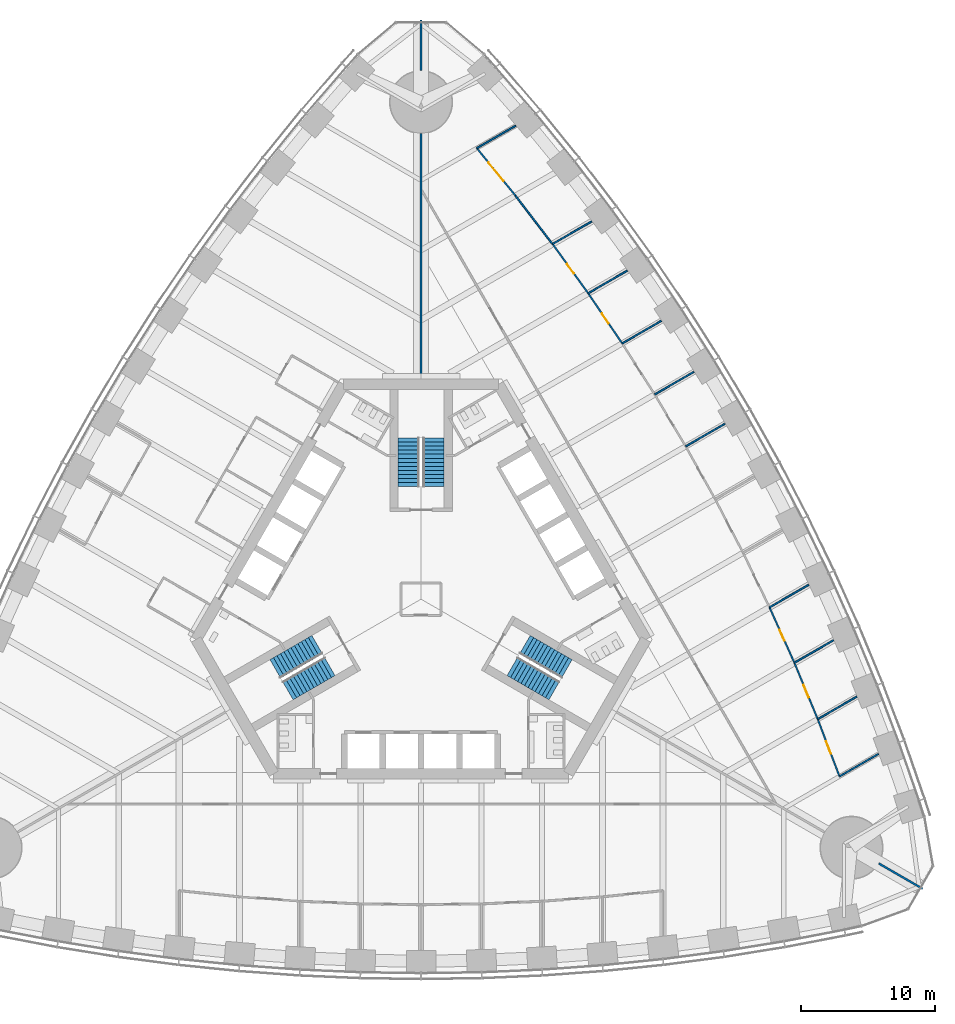
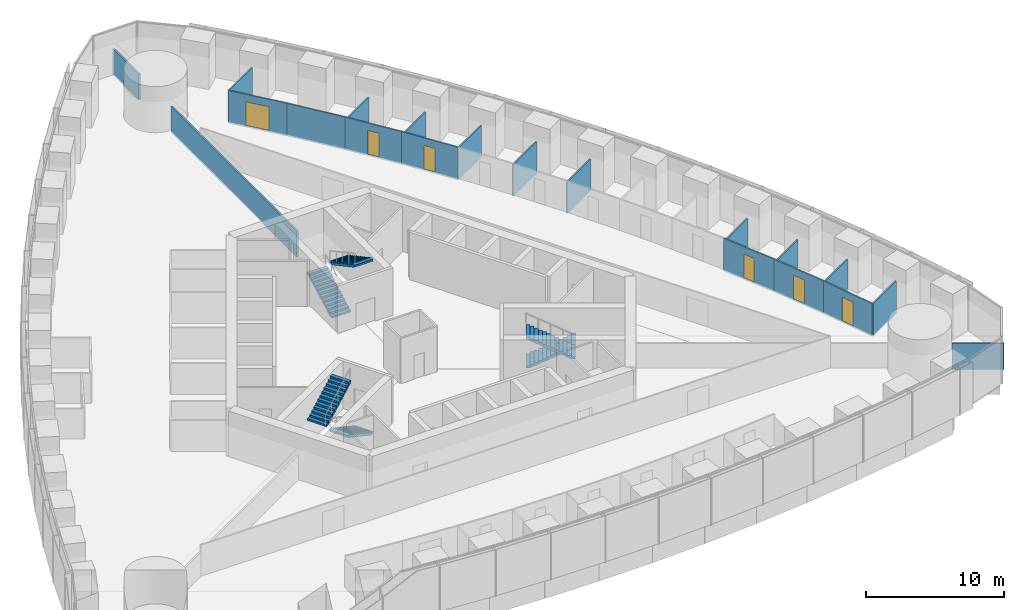
# One storey, part 13 of 18: 20 walls, 6 doors, 6 stair flights, 6 openings, 3 elements without a shape of their own.
"""IFC4 building model written with IfcOpenShell, lengths in metres."""

from ifc_helpers import new_model, si_unit, direction, frame, frame_2d, origin, place, context, subcontext, project, spatial, polyline, rectangle, outline, extrude, material, layer, layer_set, type_object, element, fill, aggregate, save


model = new_model("IFC4")

# Units and contexts
model_context = context("Model", 3, precision=1e-05, world=origin(), true_north=direction((0.0, 1.0)))
body_context = subcontext(model_context, "Body", "Model", "MODEL_VIEW")
ifc_project = project(units=[si_unit("LENGTHUNIT", "METRE"), si_unit("AREAUNIT", "SQUARE_METRE"), si_unit("VOLUMEUNIT", "CUBIC_METRE"), si_unit("PLANEANGLEUNIT", "RADIAN"), si_unit("MASSUNIT", "GRAM", prefix="KILO")], contexts=[model_context])

# Site, building, storey
site_placement = place(None, origin())
site = spatial("IfcSite", under=ifc_project, at=site_placement, CompositionType="ELEMENT")
building_placement = place(site_placement, origin())
building = spatial("IfcBuilding", under=site, at=building_placement, Name="Trefoil Bronze Tower", CompositionType="ELEMENT")
storey_placement = place(building_placement, frame((0.0, 0.0, 62.699951171875)))
storey = spatial("IfcBuildingStorey", under=building, at=storey_placement, Name="L14", CompositionType="ELEMENT", Elevation=62.699951171875)

# Wall, opening, door
ifc_material_1 = material(Name="Glazed partition", Category="glass")
ifc_layer_1 = layer(ifc_material_1, 0.1201171875)
ifc_layer_set_1 = layer_set([ifc_layer_1], Name="Glazed partition 120")
wall_type_1 = type_object("IfcWallType", Name="Glazed partition 120", PredefinedType="PARTITIONING", material=ifc_layer_set_1)
wall_1_placement = place(storey_placement, frame((12.441162109375, 22.771240234375, 0.0), z_axis=(0.0, 0.0, 1.0), x_axis=(-0.585376255171, 0.810761765183, 0.0)))
wall_1 = element("IfcWall", 1, at=wall_1_placement, inside=storey, type_object=wall_type_1, Name="Partition F2 L14", PredefinedType="PARTITIONING", context=body_context, shape_type="SweptSolid", body=[
    extrude(rectangle(XDim=4.5234375, YDim=0.1201171875, at=frame_2d((2.26171875, 0.0))), origin(), (0.0, 0.0, 1.0), 2.900146484375),
])
opening_1_placement = place(wall_1_placement, frame((1.800048828125, 0.0, 0.14990234375)))
opening_1 = element("IfcOpeningElement", 2, at=opening_1_placement, cuts=wall_1, Name="Opening D8", PredefinedType="OPENING", context=body_context, shape_type="SweptSolid", body=[
    extrude(rectangle(XDim=0.89990234375, YDim=2.10009765625, at=frame_2d((0.449951171875, 1.050048828125))), frame((0.0, 0.070068359375, 0.0), z_axis=(0.0, -1.0, 0.0), x_axis=(1.0, 0.0, 0.0)), (0.0, 0.0, 1.0), 0.14013671875),
])
ifc_material_2 = material(Name="Timber door", Category="wood")
door_type_1 = type_object("IfcDoorType", Name="Office door 900", OperationType="SINGLE_SWING_LEFT", PredefinedType="DOOR", material=ifc_material_2)
door_1_placement = place(opening_1_placement, frame((0.89990234375, 0.0, 0.0), z_axis=(0.0, 0.0, 1.0), x_axis=(-1.0, 0.0, 0.0)))
door_1 = element("IfcDoor", 3, at=door_1_placement, inside=storey, type_object=door_type_1, Name="Office door F2 L14", OperationType="SINGLE_SWING_RIGHT", OverallHeight=2.10009765625, OverallWidth=0.89990234375, PredefinedType="DOOR", context=body_context, shape_type="SweptSolid", body=[
    extrude(rectangle(XDim=0.89990234375, YDim=2.10009765625, at=frame_2d((0.449951171875, 1.050048828125))), frame((0.0, 0.02490234375, 0.0), z_axis=(0.0, -1.0, 0.0), x_axis=(1.0, 0.0, 0.0)), (0.0, 0.0, 1.0), 0.050048828125),
])
fill(opening_1, door_1)

# Wall
wall_2_placement = place(storey_placement, frame((9.793212890625, 26.438720703125, 0.0), z_axis=(0.0, 0.0, 1.0), x_axis=(-0.608784932975, 0.79333530451, 0.0)))
element("IfcWall", 4, at=wall_2_placement, inside=storey, type_object=wall_type_1, Name="Partition F2 L14", PredefinedType="PARTITIONING", context=body_context, shape_type="SweptSolid", body=[
    extrude(rectangle(XDim=4.538818359375, YDim=0.1201171875, at=frame_2d((2.26953125, 0.0))), origin(), (0.0, 0.0, 1.0), 2.900146484375),
])

# Wall, opening, door
wall_3_placement = place(storey_placement, frame((7.030029296875, 30.03955078125, 0.0), z_axis=(0.0, 0.0, 1.0), x_axis=(-0.631833879056, 0.775103831288, 0.0)))
wall_3 = element("IfcWall", 5, at=wall_3_placement, inside=storey, type_object=wall_type_1, Name="Partition F2 L14", PredefinedType="PARTITIONING", context=body_context, shape_type="SweptSolid", body=[
    extrude(rectangle(XDim=4.558349609375, YDim=0.1201171875, at=frame_2d((2.279296875, 0.0))), origin(), (0.0, 0.0, 1.0), 2.900146484375),
])
opening_2_placement = place(wall_3_placement, frame((1.39990234375, 0.0, 0.14990234375)))
opening_2 = element("IfcOpeningElement", 6, at=opening_2_placement, cuts=wall_3, Name="Opening D10", PredefinedType="OPENING", context=body_context, shape_type="SweptSolid", body=[
    extrude(rectangle(XDim=1.800048828125, YDim=2.10009765625, at=frame_2d((0.89990234375, 1.050048828125))), frame((0.0, 0.070068359375, 0.0), z_axis=(0.0, -1.0, 0.0), x_axis=(1.0, 0.0, 0.0)), (0.0, 0.0, 1.0), 0.14013671875),
])
ifc_material_3 = material(Name="Timber door", Category="wood")
door_type_2 = type_object("IfcDoorType", Name="Double door 1800", OperationType="DOUBLE_DOOR_SINGLE_SWING", PredefinedType="DOOR", material=ifc_material_3)
door_2_placement = place(opening_2_placement, frame((1.800048828125, 0.0, 0.0), z_axis=(0.0, 0.0, 1.0), x_axis=(-1.0, 0.0, 0.0)))
door_2 = element("IfcDoor", 7, at=door_2_placement, inside=storey, type_object=door_type_2, Name="Library door F2 L14", OperationType="DOUBLE_DOOR_SINGLE_SWING", OverallHeight=2.10009765625, OverallWidth=1.800048828125, PredefinedType="DOOR", context=body_context, shape_type="SweptSolid", body=[
    extrude(rectangle(XDim=1.800048828125, YDim=2.10009765625, at=frame_2d((0.89990234375, 1.050048828125))), frame((0.0, 0.02490234375, 0.0), z_axis=(0.0, -1.0, 0.0), x_axis=(1.0, 0.0, 0.0)), (0.0, 0.0, 1.0), 0.050048828125),
])
fill(opening_2, door_2)

wall_4_placement = place(storey_placement, frame((14.974609375, 19.037841796875, 0.0), z_axis=(0.0, 0.0, 1.0), x_axis=(-0.561512004239, 0.827468591002, 0.0)))
wall_4 = element("IfcWall", 8, at=wall_4_placement, inside=storey, type_object=wall_type_1, Name="Partition F2 L14", PredefinedType="PARTITIONING", context=body_context, shape_type="SweptSolid", body=[
    extrude(rectangle(XDim=4.51171875, YDim=0.1201171875, at=frame_2d((2.255859375, 0.0))), origin(), (0.0, 0.0, 1.0), 2.900146484375),
])
opening_3_placement = place(wall_4_placement, frame((1.800048828125, 0.0, 0.14990234375)))
opening_3 = element("IfcOpeningElement", 9, at=opening_3_placement, cuts=wall_4, Name="Opening D8", PredefinedType="OPENING", context=body_context, shape_type="SweptSolid", body=[
    extrude(rectangle(XDim=0.89990234375, YDim=2.10009765625, at=frame_2d((0.449951171875, 1.050048828125))), frame((0.0, 0.070068359375, 0.0), z_axis=(0.0, -1.0, 0.0), x_axis=(1.0, 0.0, 0.0)), (0.0, 0.0, 1.0), 0.14013671875),
])
door_3_placement = place(opening_3_placement, frame((0.89990234375, 0.0, 0.0), z_axis=(0.0, 0.0, 1.0), x_axis=(-1.0, 0.0, 0.0)))
door_3 = element("IfcDoor", 10, at=door_3_placement, inside=storey, type_object=door_type_1, Name="Office door F2 L14", OperationType="SINGLE_SWING_RIGHT", OverallHeight=2.10009765625, OverallWidth=0.89990234375, PredefinedType="DOOR", context=body_context, shape_type="SweptSolid", body=[
    extrude(rectangle(XDim=0.89990234375, YDim=2.10009765625, at=frame_2d((0.449951171875, 1.050048828125))), frame((0.0, 0.02490234375, 0.0), z_axis=(0.0, -1.0, 0.0), x_axis=(1.0, 0.0, 0.0)), (0.0, 0.0, 1.0), 0.050048828125),
])
fill(opening_3, door_3)

wall_5_placement = place(storey_placement, frame((27.793212890625, -4.738037109375, 0.0), z_axis=(0.0, 0.0, 1.0), x_axis=(-0.409451055745, 0.912332084796, 0.0)))
wall_5 = element("IfcWall", 11, at=wall_5_placement, inside=storey, type_object=wall_type_1, Name="Partition F2 L14", PredefinedType="PARTITIONING", context=body_context, shape_type="SweptSolid", body=[
    extrude(rectangle(XDim=4.523193359375, YDim=0.1201171875, at=frame_2d((2.26171875, 0.0))), origin(), (0.0, 0.0, 1.0), 2.900146484375),
])
opening_4_placement = place(wall_5_placement, frame((1.800048828125, 0.0, 0.14990234375)))
opening_4 = element("IfcOpeningElement", 12, at=opening_4_placement, cuts=wall_5, Name="Opening D8", PredefinedType="OPENING", context=body_context, shape_type="SweptSolid", body=[
    extrude(rectangle(XDim=0.89990234375, YDim=2.10009765625, at=frame_2d((0.449951171875, 1.050048828125))), frame((0.0, 0.070068359375, 0.0), z_axis=(0.0, -1.0, 0.0), x_axis=(1.0, 0.0, 0.0)), (0.0, 0.0, 1.0), 0.14013671875),
])
door_4_placement = place(opening_4_placement, frame((0.89990234375, 0.0, 0.0), z_axis=(0.0, 0.0, 1.0), x_axis=(-1.0, 0.0, 0.0)))
door_4 = element("IfcDoor", 13, at=door_4_placement, inside=storey, type_object=door_type_1, Name="Office door F2 L14", OperationType="SINGLE_SWING_RIGHT", OverallHeight=2.10009765625, OverallWidth=0.89990234375, PredefinedType="DOOR", context=body_context, shape_type="SweptSolid", body=[
    extrude(rectangle(XDim=0.89990234375, YDim=2.10009765625, at=frame_2d((0.449951171875, 1.050048828125))), frame((0.0, 0.02490234375, 0.0), z_axis=(0.0, -1.0, 0.0), x_axis=(1.0, 0.0, 0.0)), (0.0, 0.0, 1.0), 0.050048828125),
])
fill(opening_4, door_4)

wall_6_placement = place(storey_placement, frame((29.530029296875, -8.931640625, 0.0), z_axis=(0.0, 0.0, 1.0), x_axis=(-0.382639984525, 0.923897527999, 0.0)))
wall_6 = element("IfcWall", 14, at=wall_6_placement, inside=storey, type_object=wall_type_1, Name="Partition F2 L14", PredefinedType="PARTITIONING", context=body_context, shape_type="SweptSolid", body=[
    extrude(rectangle(XDim=4.5390625, YDim=0.1201171875, at=frame_2d((2.26953125, 0.0))), origin(), (0.0, 0.0, 1.0), 2.900146484375),
])
opening_5_placement = place(wall_6_placement, frame((1.75, 0.0, 0.14990234375)))
opening_5 = element("IfcOpeningElement", 15, at=opening_5_placement, cuts=wall_6, Name="Opening D9", PredefinedType="OPENING", context=body_context, shape_type="SweptSolid", body=[
    extrude(rectangle(XDim=1.0, YDim=2.10009765625, at=frame_2d((0.5, 1.050048828125))), frame((0.0, 0.070068359375, 0.0), z_axis=(0.0, -1.0, 0.0), x_axis=(1.0, 0.0, 0.0)), (0.0, 0.0, 1.0), 0.14013671875),
])
ifc_material_4 = material(Name="Glazed timber door", Category="wood")
door_type_3 = type_object("IfcDoorType", Name="Meeting room door 1000", OperationType="SINGLE_SWING_LEFT", PredefinedType="DOOR", material=ifc_material_4)
door_5_placement = place(opening_5_placement, frame((1.0, 0.0, 0.0), z_axis=(0.0, 0.0, 1.0), x_axis=(-1.0, 0.0, 0.0)))
door_5 = element("IfcDoor", 16, at=door_5_placement, inside=storey, type_object=door_type_3, Name="Meeting room door F2 L14", OperationType="SINGLE_SWING_RIGHT", OverallHeight=2.10009765625, OverallWidth=1.0, PredefinedType="DOOR", context=body_context, shape_type="SweptSolid", body=[
    extrude(rectangle(XDim=1.0, YDim=2.10009765625, at=frame_2d((0.5, 1.050048828125))), frame((0.0, 0.02490234375, 0.0), z_axis=(0.0, -1.0, 0.0), x_axis=(1.0, 0.0, 0.0)), (0.0, 0.0, 1.0), 0.050048828125),
])
fill(opening_5, door_5)

wall_7_placement = place(storey_placement, frame((31.14990234375, -13.1923828125, 0.0), z_axis=(0.0, 0.0, 1.0), x_axis=(-0.355369393324, 0.934725946087, 0.0)))
wall_7 = element("IfcWall", 17, at=wall_7_placement, inside=storey, type_object=wall_type_1, Name="Partition F2 L14", PredefinedType="PARTITIONING", context=body_context, shape_type="SweptSolid", body=[
    extrude(rectangle(XDim=4.558349609375, YDim=0.1201171875, at=frame_2d((2.279296875, 0.0))), origin(), (0.0, 0.0, 1.0), 2.900146484375),
])
opening_6_placement = place(wall_7_placement, frame((1.800048828125, 0.0, 0.14990234375)))
opening_6 = element("IfcOpeningElement", 18, at=opening_6_placement, cuts=wall_7, Name="Opening D9", PredefinedType="OPENING", context=body_context, shape_type="SweptSolid", body=[
    extrude(rectangle(XDim=1.0, YDim=2.10009765625, at=frame_2d((0.5, 1.050048828125))), frame((0.0, 0.070068359375, 0.0), z_axis=(0.0, -1.0, 0.0), x_axis=(1.0, 0.0, 0.0)), (0.0, 0.0, 1.0), 0.14013671875),
])
door_6_placement = place(opening_6_placement, frame((1.0, 0.0, 0.0), z_axis=(0.0, 0.0, 1.0), x_axis=(-1.0, 0.0, 0.0)))
door_6 = element("IfcDoor", 19, at=door_6_placement, inside=storey, type_object=door_type_3, Name="Meeting room door F2 L14", OperationType="SINGLE_SWING_LEFT", OverallHeight=2.10009765625, OverallWidth=1.0, PredefinedType="DOOR", context=body_context, shape_type="SweptSolid", body=[
    extrude(rectangle(XDim=1.0, YDim=2.10009765625, at=frame_2d((0.5, 1.050048828125))), frame((0.0, 0.02490234375, 0.0), z_axis=(0.0, -1.0, 0.0), x_axis=(1.0, 0.0, 0.0)), (0.0, 0.0, 1.0), 0.050048828125),
])
fill(opening_6, door_6)

# Walls
wall_8_placement = place(storey_placement, frame((19.700927734375, 11.374267578125, 0.0), z_axis=(0.0, 0.0, 1.0), x_axis=(0.866014270972, 0.500019282102, 0.0)))
element("IfcWall", 20, at=wall_8_placement, inside=storey, type_object=wall_type_1, Name="Partition F2 L14", PredefinedType="PARTITIONING", context=body_context, shape_type="SweptSolid", body=[
    extrude(rectangle(XDim=3.369873046875, YDim=0.1201171875, at=frame_2d((1.68505859375, 0.0))), origin(), (0.0, 0.0, 1.0), 2.800048828125),
])
wall_9_placement = place(storey_placement, frame((12.441162109375, 22.771240234375, 0.0), z_axis=(0.0, 0.0, 1.0), x_axis=(0.865992196602, 0.500057512117, 0.0)))
element("IfcWall", 21, at=wall_9_placement, inside=storey, type_object=wall_type_1, Name="Partition F2 L14", PredefinedType="PARTITIONING", context=body_context, shape_type="SweptSolid", body=[
    extrude(rectangle(XDim=3.36376953125, YDim=0.1201171875, at=frame_2d((1.681884765625, 0.0))), origin(), (0.0, 0.0, 1.0), 2.60009765625),
])
wall_10_placement = place(storey_placement, frame((9.793212890625, 26.438720703125, 0.0), z_axis=(0.0, 0.0, 1.0), x_axis=(0.866029446706, 0.499992997389, 0.0)))
element("IfcWall", 22, at=wall_10_placement, inside=storey, type_object=wall_type_1, Name="Partition F2 L14", PredefinedType="PARTITIONING", context=body_context, shape_type="SweptSolid", body=[
    extrude(rectangle(XDim=3.35888671875, YDim=0.1201171875, at=frame_2d((1.679443359375, 0.0))), origin(), (0.0, 0.0, 1.0), 2.60009765625),
])
wall_11_placement = place(storey_placement, frame((4.14990234375, 33.57275390625, 0.0), z_axis=(0.0, 0.0, 1.0), x_axis=(0.866002045187, 0.500040456096, 0.0)))
element("IfcWall", 23, at=wall_11_placement, inside=storey, type_object=wall_type_1, Name="Partition F2 L14", PredefinedType="PARTITIONING", context=body_context, shape_type="SweptSolid", body=[
    extrude(rectangle(XDim=3.344970703125, YDim=0.1201171875, at=frame_2d((1.67236328125, 0.0))), origin(), (0.0, 0.0, 1.0), 2.900146484375),
])
wall_12_placement = place(storey_placement, frame((17.39453125, 15.23876953125, 0.0), z_axis=(0.0, 0.0, 1.0), x_axis=(0.865991297194, 0.500059069696, 0.0)))
element("IfcWall", 24, at=wall_12_placement, inside=storey, type_object=wall_type_1, Name="Partition F2 L14", PredefinedType="PARTITIONING", context=body_context, shape_type="SweptSolid", body=[
    extrude(rectangle(XDim=3.369140625, YDim=0.1201171875, at=frame_2d((1.6845703125, 0.0))), origin(), (0.0, 0.0, 1.0), 2.800048828125),
])
wall_13_placement = place(storey_placement, frame((14.974609375, 19.037841796875, 0.0), z_axis=(0.0, 0.0, 1.0), x_axis=(0.866039498442, 0.499975586543, 0.0)))
element("IfcWall", 25, at=wall_13_placement, inside=storey, type_object=wall_type_1, Name="Partition F2 L14", PredefinedType="PARTITIONING", context=body_context, shape_type="SweptSolid", body=[
    extrude(rectangle(XDim=3.367431640625, YDim=0.1201171875, at=frame_2d((1.68359375, 0.0))), origin(), (0.0, 0.0, 1.0), 2.800048828125),
])
wall_14_placement = place(storey_placement, frame((25.941162109375, -0.611328125, 0.0), z_axis=(0.0, 0.0, 1.0), x_axis=(0.866023625329, 0.500003080363, 0.0)))
element("IfcWall", 26, at=wall_14_placement, inside=storey, type_object=wall_type_1, Name="Partition F2 L14", PredefinedType="PARTITIONING", context=body_context, shape_type="SweptSolid", body=[
    extrude(rectangle(XDim=3.36376953125, YDim=0.1201171875, at=frame_2d((1.681884765625, 0.0))), origin(), (0.0, 0.0, 1.0), 2.60009765625),
])
wall_15_placement = place(storey_placement, frame((27.793212890625, -4.738037109375, 0.0), z_axis=(0.0, 0.0, 1.0), x_axis=(0.866029446706, 0.499992997389, 0.0)))
element("IfcWall", 27, at=wall_15_placement, inside=storey, type_object=wall_type_1, Name="Partition F2 L14", PredefinedType="PARTITIONING", context=body_context, shape_type="SweptSolid", body=[
    extrude(rectangle(XDim=3.35888671875, YDim=0.1201171875, at=frame_2d((1.679443359375, 0.0))), origin(), (0.0, 0.0, 1.0), 2.60009765625),
])
wall_16_placement = place(storey_placement, frame((29.530029296875, -8.931640625, 0.0), z_axis=(0.0, 0.0, 1.0), x_axis=(0.866038859646, 0.49997669304, 0.0)))
element("IfcWall", 28, at=wall_16_placement, inside=storey, type_object=wall_type_1, Name="Partition F2 L14", PredefinedType="PARTITIONING", context=body_context, shape_type="SweptSolid", body=[
    extrude(rectangle(XDim=3.352783203125, YDim=0.1201171875, at=frame_2d((1.67626953125, 0.0))), origin(), (0.0, 0.0, 1.0), 2.800048828125),
])
wall_17_placement = place(storey_placement, frame((31.14990234375, -13.1923828125, 0.0), z_axis=(0.0, 0.0, 1.0), x_axis=(0.866033651025, 0.499985715088, 0.0)))
element("IfcWall", 29, at=wall_17_placement, inside=storey, type_object=wall_type_1, Name="Partition F2 L14", PredefinedType="PARTITIONING", context=body_context, shape_type="SweptSolid", body=[
    extrude(rectangle(XDim=3.3447265625, YDim=0.1201171875, at=frame_2d((1.67236328125, 0.0))), origin(), (0.0, 0.0, 1.0), 2.900146484375),
])
ifc_material_5 = material(Name="Gypsum board on steel studs", Category="steel")
ifc_layer_2 = layer(ifc_material_5, 0.14990234375)
ifc_layer_set_2 = layer_set([ifc_layer_2], Name="Party wall 150")
wall_type_2 = type_object("IfcWallType", Name="Party wall 150", PredefinedType="PARTITIONING", material=ifc_layer_set_2)
wall_18_placement = place(storey_placement, frame((34.078125, -19.675048828125, 0.0), z_axis=(0.0, 0.0, 1.0), x_axis=(0.866019247219, -0.500010663332, 0.0)))
element("IfcWall", 30, at=wall_18_placement, inside=storey, type_object=wall_type_2, Name="Party wall K1 L14", PredefinedType="PARTITIONING", context=body_context, shape_type="SweptSolid", body=[
    extrude(rectangle(XDim=3.76416015625, YDim=0.14990234375, at=frame_2d((1.882080078125, 0.0))), origin(), (0.0, 0.0, 1.0), 2.300048828125),
])
wall_19_placement = place(storey_placement, frame((0.0, 16.39990234375, 0.0), z_axis=(0.0, 0.0, 1.0), x_axis=(0.0, 1.0, 0.0)))
element("IfcWall", 31, at=wall_19_placement, inside=storey, type_object=wall_type_2, Name="Party wall K2 L14", PredefinedType="PARTITIONING", context=body_context, shape_type="SweptSolid", body=[
    extrude(rectangle(XDim=18.25, YDim=0.14990234375, at=frame_2d((9.125, 0.0))), origin(), (0.0, 0.0, 1.0), 2.300048828125),
])
wall_20_placement = place(storey_placement, frame((0.0, 39.35009765625, 0.0), z_axis=(0.0, 0.0, 1.0), x_axis=(0.0, 1.0, 0.0)))
element("IfcWall", 32, at=wall_20_placement, inside=storey, type_object=wall_type_2, Name="Party wall K2 L14", PredefinedType="PARTITIONING", context=body_context, shape_type="SweptSolid", body=[
    extrude(rectangle(XDim=3.763916015625, YDim=0.14990234375, at=frame_2d((1.8818359375, 0.0))), origin(), (0.0, 0.0, 1.0), 2.300048828125),
])

# Stair, stair flights
ifc_material_6 = material(Name="Precast concrete B80", Category="concrete")
stair_type = type_object("IfcStairType", Name="Exit stair 26 risers", PredefinedType="HALF_TURN_STAIR", material=ifc_material_6)
stair_1_placement = place(storey_placement, origin())
stair_1 = element("IfcStair", 33, at=stair_1_placement, inside=storey, type_object=stair_type, Name="Stair ST1 L14", PredefinedType="HALF_TURN_STAIR")
ifc_material_7 = material(Name="Precast concrete B80", Category="concrete")
stair_flight_type = type_object("IfcStairFlightType", Name="Stair flight 1600", PredefinedType="STRAIGHT", material=ifc_material_7)
stair_flight_1_placement = place(storey_placement, frame((7.728515625, -3.39404296875, 0.0), z_axis=(0.0, 0.0, 1.0), x_axis=(0.866025403784, -0.5, 0.0)))
stair_flight_1 = element("IfcStairFlight", 34, at=stair_flight_1_placement, type_object=stair_flight_type, Name="ST1 flight 1", NumberOfRisers=13, NumberOfTreads=12, PredefinedType="STRAIGHT", RiserHeight=0.161538462, TreadLength=0.3, context=body_context, shape_type="SweptSolid", body=[
    extrude(outline(polyline([(0.0, 0.0), (0.0, 0.16162109375), (0.300048828125, 0.16162109375), (0.300048828125, 0.322998046875), (0.60009765625, 0.322998046875), (0.60009765625, 0.484619140625), (0.89990234375, 0.484619140625), (0.89990234375, 0.646240234375), (1.199951171875, 0.646240234375), (1.199951171875, 0.8076171875), (1.5, 0.8076171875), (1.5, 0.96923828125), (1.800048828125, 0.96923828125), (1.800048828125, 1.130859375), (2.10009765625, 1.130859375), (2.10009765625, 1.292236328125), (2.39990234375, 1.292236328125), (2.39990234375, 1.453857421875), (2.699951171875, 1.453857421875), (2.699951171875, 1.615478515625), (3.0, 1.615478515625), (3.0, 1.77685546875), (3.300048828125, 1.77685546875), (3.300048828125, 1.9384765625), (3.60009765625, 1.9384765625), (3.60009765625, 2.10009765625), (3.60009765625, 1.768310546875), (0.316162109375, 0.0), (0.0, 0.0)])), frame((0.0, 0.800048828125, 0.0), z_axis=(0.0, -1.0, 0.0), x_axis=(1.0, 0.0, 0.0)), (0.0, 0.0, 1.0), 1.60009765625),
])
stair_flight_2_placement = place(storey_placement, frame((9.921142578125, -6.796142578125, 2.10009765625), z_axis=(0.0, 0.0, 1.0), x_axis=(-0.866025403784, 0.5, 0.0)))
stair_flight_2 = element("IfcStairFlight", 35, at=stair_flight_2_placement, type_object=stair_flight_type, Name="ST1 flight 2", NumberOfRisers=13, NumberOfTreads=12, PredefinedType="STRAIGHT", RiserHeight=0.161538462, TreadLength=0.3, context=body_context, shape_type="SweptSolid", body=[
    extrude(outline(polyline([(0.0, 0.0), (0.0, 0.16162109375), (0.300048828125, 0.16162109375), (0.300048828125, 0.322998046875), (0.60009765625, 0.322998046875), (0.60009765625, 0.484619140625), (0.89990234375, 0.484619140625), (0.89990234375, 0.646240234375), (1.199951171875, 0.646240234375), (1.199951171875, 0.8076171875), (1.5, 0.8076171875), (1.5, 0.96923828125), (1.800048828125, 0.96923828125), (1.800048828125, 1.130859375), (2.10009765625, 1.130859375), (2.10009765625, 1.292236328125), (2.39990234375, 1.292236328125), (2.39990234375, 1.453857421875), (2.699951171875, 1.453857421875), (2.699951171875, 1.615478515625), (3.0, 1.615478515625), (3.0, 1.77685546875), (3.300048828125, 1.77685546875), (3.300048828125, 1.9384765625), (3.60009765625, 1.9384765625), (3.60009765625, 2.10009765625), (3.60009765625, 1.768310546875), (0.316162109375, 0.0), (0.0, 0.0)])), frame((0.0, 0.800048828125, 0.0), z_axis=(0.0, -1.0, 0.0), x_axis=(1.0, 0.0, 0.0)), (0.0, 0.0, 1.0), 1.60009765625),
])
aggregate(stair_1, [stair_flight_1, stair_flight_2])

stair_2_placement = place(storey_placement, origin())
stair_2 = element("IfcStair", 36, at=stair_2_placement, inside=storey, type_object=stair_type, Name="Stair ST2 L14", PredefinedType="HALF_TURN_STAIR")
stair_flight_3_placement = place(storey_placement, frame((-0.925048828125, 8.389892578125, 0.0), z_axis=(0.0, 0.0, 1.0), x_axis=(0.0, 1.0, 0.0)))
stair_flight_3 = element("IfcStairFlight", 37, at=stair_flight_3_placement, type_object=stair_flight_type, Name="ST2 flight 1", NumberOfRisers=13, NumberOfTreads=12, PredefinedType="STRAIGHT", RiserHeight=0.161538462, TreadLength=0.3, context=body_context, shape_type="SweptSolid", body=[
    extrude(outline(polyline([(0.0, 0.0), (0.0, 0.16162109375), (0.300048828125, 0.16162109375), (0.300048828125, 0.322998046875), (0.60009765625, 0.322998046875), (0.60009765625, 0.484619140625), (0.89990234375, 0.484619140625), (0.89990234375, 0.646240234375), (1.199951171875, 0.646240234375), (1.199951171875, 0.8076171875), (1.5, 0.8076171875), (1.5, 0.96923828125), (1.800048828125, 0.96923828125), (1.800048828125, 1.130859375), (2.10009765625, 1.130859375), (2.10009765625, 1.292236328125), (2.39990234375, 1.292236328125), (2.39990234375, 1.453857421875), (2.699951171875, 1.453857421875), (2.699951171875, 1.615478515625), (3.0, 1.615478515625), (3.0, 1.77685546875), (3.300048828125, 1.77685546875), (3.300048828125, 1.9384765625), (3.60009765625, 1.9384765625), (3.60009765625, 2.10009765625), (3.60009765625, 1.768310546875), (0.316162109375, 0.0), (0.0, 0.0)])), frame((0.0, 0.800048828125, 0.0), z_axis=(0.0, -1.0, 0.0), x_axis=(1.0, 0.0, 0.0)), (0.0, 0.0, 1.0), 1.60009765625),
])
stair_flight_4_placement = place(storey_placement, frame((0.925048828125, 11.989990234375, 2.10009765625), z_axis=(0.0, 0.0, 1.0), x_axis=(0.0, -1.0, 0.0)))
stair_flight_4 = element("IfcStairFlight", 38, at=stair_flight_4_placement, type_object=stair_flight_type, Name="ST2 flight 2", NumberOfRisers=13, NumberOfTreads=12, PredefinedType="STRAIGHT", RiserHeight=0.161538462, TreadLength=0.3, context=body_context, shape_type="SweptSolid", body=[
    extrude(outline(polyline([(0.0, 0.0), (0.0, 0.16162109375), (0.300048828125, 0.16162109375), (0.300048828125, 0.322998046875), (0.60009765625, 0.322998046875), (0.60009765625, 0.484619140625), (0.89990234375, 0.484619140625), (0.89990234375, 0.646240234375), (1.199951171875, 0.646240234375), (1.199951171875, 0.8076171875), (1.5, 0.8076171875), (1.5, 0.96923828125), (1.800048828125, 0.96923828125), (1.800048828125, 1.130859375), (2.10009765625, 1.130859375), (2.10009765625, 1.292236328125), (2.39990234375, 1.292236328125), (2.39990234375, 1.453857421875), (2.699951171875, 1.453857421875), (2.699951171875, 1.615478515625), (3.0, 1.615478515625), (3.0, 1.77685546875), (3.300048828125, 1.77685546875), (3.300048828125, 1.9384765625), (3.60009765625, 1.9384765625), (3.60009765625, 2.10009765625), (3.60009765625, 1.768310546875), (0.316162109375, 0.0), (0.0, 0.0)])), frame((0.0, 0.800048828125, 0.0), z_axis=(0.0, -1.0, 0.0), x_axis=(1.0, 0.0, 0.0)), (0.0, 0.0, 1.0), 1.60009765625),
])
aggregate(stair_2, [stair_flight_3, stair_flight_4])

stair_3_placement = place(storey_placement, origin())
stair_3 = element("IfcStair", 39, at=stair_3_placement, inside=storey, type_object=stair_type, Name="Stair ST3 L14", PredefinedType="HALF_TURN_STAIR")
stair_flight_5_placement = place(storey_placement, frame((-6.803466796875, -4.99609375, 0.0), z_axis=(0.0, 0.0, 1.0), x_axis=(-0.866025403784, -0.5, 0.0)))
stair_flight_5 = element("IfcStairFlight", 40, at=stair_flight_5_placement, type_object=stair_flight_type, Name="ST3 flight 1", NumberOfRisers=13, NumberOfTreads=12, PredefinedType="STRAIGHT", RiserHeight=0.161538462, TreadLength=0.3, context=body_context, shape_type="SweptSolid", body=[
    extrude(outline(polyline([(0.0, 0.0), (0.0, 0.16162109375), (0.300048828125, 0.16162109375), (0.300048828125, 0.322998046875), (0.60009765625, 0.322998046875), (0.60009765625, 0.484619140625), (0.89990234375, 0.484619140625), (0.89990234375, 0.646240234375), (1.199951171875, 0.646240234375), (1.199951171875, 0.8076171875), (1.5, 0.8076171875), (1.5, 0.96923828125), (1.800048828125, 0.96923828125), (1.800048828125, 1.130859375), (2.10009765625, 1.130859375), (2.10009765625, 1.292236328125), (2.39990234375, 1.292236328125), (2.39990234375, 1.453857421875), (2.699951171875, 1.453857421875), (2.699951171875, 1.615478515625), (3.0, 1.615478515625), (3.0, 1.77685546875), (3.300048828125, 1.77685546875), (3.300048828125, 1.9384765625), (3.60009765625, 1.9384765625), (3.60009765625, 2.10009765625), (3.60009765625, 1.768310546875), (0.316162109375, 0.0), (0.0, 0.0)])), frame((0.0, 0.800048828125, 0.0), z_axis=(0.0, -1.0, 0.0), x_axis=(1.0, 0.0, 0.0)), (0.0, 0.0, 1.0), 1.60009765625),
])
stair_flight_6_placement = place(storey_placement, frame((-10.84619140625, -5.19384765625, 2.10009765625), z_axis=(0.0, 0.0, 1.0), x_axis=(0.866025403784, 0.5, 0.0)))
stair_flight_6 = element("IfcStairFlight", 41, at=stair_flight_6_placement, type_object=stair_flight_type, Name="ST3 flight 2", NumberOfRisers=13, NumberOfTreads=12, PredefinedType="STRAIGHT", RiserHeight=0.161538462, TreadLength=0.3, context=body_context, shape_type="SweptSolid", body=[
    extrude(outline(polyline([(0.0, 0.0), (0.0, 0.16162109375), (0.300048828125, 0.16162109375), (0.300048828125, 0.322998046875), (0.60009765625, 0.322998046875), (0.60009765625, 0.484619140625), (0.89990234375, 0.484619140625), (0.89990234375, 0.646240234375), (1.199951171875, 0.646240234375), (1.199951171875, 0.8076171875), (1.5, 0.8076171875), (1.5, 0.96923828125), (1.800048828125, 0.96923828125), (1.800048828125, 1.130859375), (2.10009765625, 1.130859375), (2.10009765625, 1.292236328125), (2.39990234375, 1.292236328125), (2.39990234375, 1.453857421875), (2.699951171875, 1.453857421875), (2.699951171875, 1.615478515625), (3.0, 1.615478515625), (3.0, 1.77685546875), (3.300048828125, 1.77685546875), (3.300048828125, 1.9384765625), (3.60009765625, 1.9384765625), (3.60009765625, 2.10009765625), (3.60009765625, 1.768310546875), (0.316162109375, 0.0), (0.0, 0.0)])), frame((0.0, 0.800048828125, 0.0), z_axis=(0.0, -1.0, 0.0), x_axis=(1.0, 0.0, 0.0)), (0.0, 0.0, 1.0), 1.60009765625),
])
aggregate(stair_3, [stair_flight_5, stair_flight_6])

save(model, "model.ifc")
